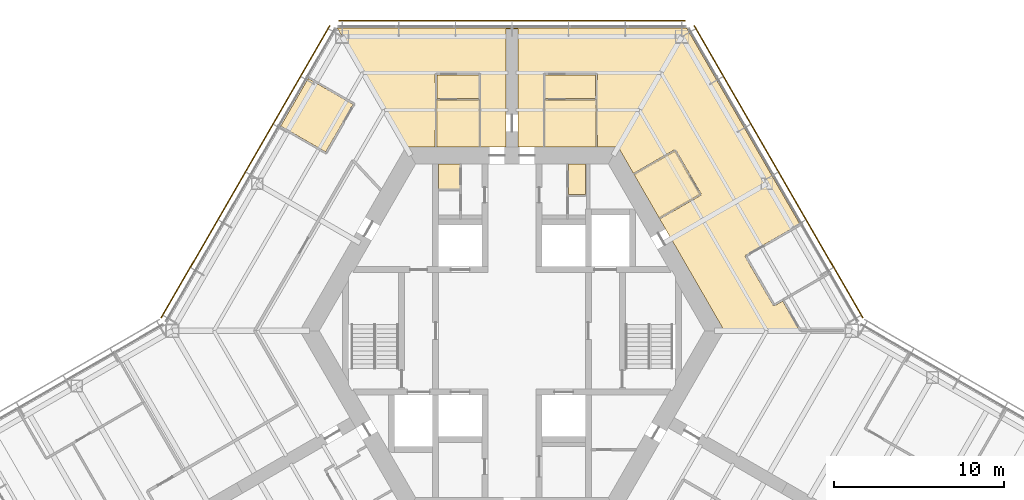
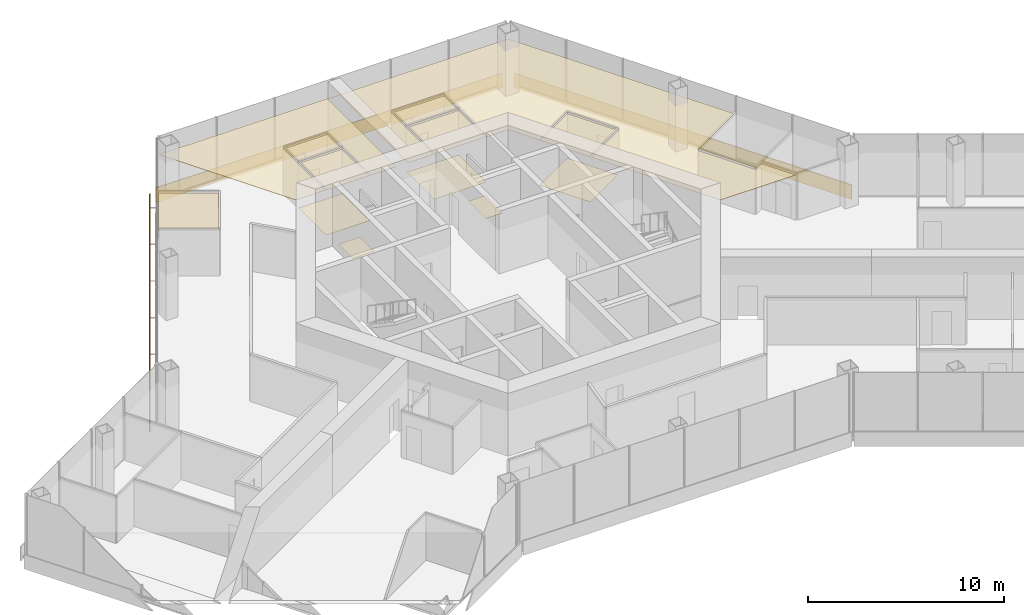
# One storey, part 18 of 18: 13 coverings, 3 shading devices.
"""IFC4 building model written with IfcOpenShell, lengths in metres."""

from ifc_helpers import new_model, si_unit, direction, frame, origin, origin_2d, place, context, subcontext, project, spatial, polyline, rectangle, outline, extrude, material, layer, layer_set, type_object, element, save


model = new_model("IFC4")

# Units and contexts
model_context = context("Model", 3, precision=1e-05, world=origin(), true_north=direction((0.0, 1.0)))
body_context = subcontext(model_context, "Body", "Model", "MODEL_VIEW")
ifc_project = project(units=[si_unit("LENGTHUNIT", "METRE"), si_unit("AREAUNIT", "SQUARE_METRE"), si_unit("VOLUMEUNIT", "CUBIC_METRE"), si_unit("PLANEANGLEUNIT", "RADIAN"), si_unit("MASSUNIT", "GRAM", prefix="KILO")], contexts=[model_context])

# Site, building, storey
site_placement = place(None, origin())
site = spatial("IfcSite", under=ifc_project, at=site_placement, CompositionType="ELEMENT")
building_placement = place(site_placement, origin())
building = spatial("IfcBuilding", under=site, at=building_placement, Name="Kasaneha Research Tower", CompositionType="ELEMENT")
storey_placement = place(building_placement, frame((0.0, 0.0, 195.5)))
storey = spatial("IfcBuildingStorey", under=building, at=storey_placement, Name="L49", CompositionType="ELEMENT", Elevation=195.5)

# Coverings
ifc_material_1 = material(Name="Gypsum ceiling board", Category="gypsum")
ifc_layer_1 = layer(ifc_material_1, 0.02001953125)
ifc_layer_set_1 = layer_set([ifc_layer_1], Name="Suspended ceiling 20")
covering_type_1 = type_object("IfcCoveringType", Name="Suspended ceiling 20", PredefinedType="CEILING", material=ifc_layer_set_1)
covering_1_placement = place(storey_placement, frame((0.0, 0.0, 2.800048828125)))
element("IfcCovering", 1, at=covering_1_placement, inside=storey, type_object=covering_type_1, Name="Ceiling L49-27", PredefinedType="CEILING", context=body_context, shape_type="SweptSolid", body=[
    extrude(outline(polyline([(1.89990234375, 10.824951171875), (1.89990234375, 10.844970703125), (1.949951171875, 10.844970703125), (1.95458984375, 13.570068359375), (4.91650390625, 13.570068359375), (4.9208984375, 10.844970703125), (4.970947265625, 10.844970703125), (4.970947265625, 10.824951171875), (1.89990234375, 10.824951171875)])), origin(), (0.0, 0.0, 1.0), 0.02001953125),
])
covering_2_placement = place(storey_placement, frame((0.0, 0.0, 2.800048828125)))
element("IfcCovering", 2, at=covering_2_placement, inside=storey, type_object=covering_type_1, Name="Ceiling L49-28", PredefinedType="CEILING", context=body_context, shape_type="SweptSolid", body=[
    extrude(outline(polyline([(4.91650390625, 13.669921875), (1.954345703125, 13.669921875), (1.9501953125, 15.074951171875), (4.9208984375, 15.074951171875), (4.91650390625, 13.669921875)])), origin(), (0.0, 0.0, 1.0), 0.02001953125),
])
covering_3_placement = place(storey_placement, frame((0.0, 0.0, 2.800048828125)))
element("IfcCovering", 3, at=covering_3_placement, inside=storey, type_object=covering_type_1, Name="Ceiling L49-29", PredefinedType="CEILING", context=body_context, shape_type="SweptSolid", body=[
    extrude(outline(polyline([(7.1748046875, 9.222900390625), (7.19189453125, 9.23291015625), (7.217041015625, 9.189697265625), (9.581298828125, 10.5546875), (11.03125, 8.043212890625), (8.6669921875, 6.67822265625), (8.69189453125, 6.635009765625), (8.6748046875, 6.625), (7.1748046875, 9.222900390625)])), origin(), (0.0, 0.0, 1.0), 0.02001953125),
])
covering_4_placement = place(storey_placement, frame((0.0, 0.0, 2.800048828125)))
element("IfcCovering", 4, at=covering_4_placement, inside=storey, type_object=covering_type_1, Name="Ceiling L49-32", PredefinedType="CEILING", context=body_context, shape_type="SweptSolid", body=[
    extrude(outline(polyline([(8.692138671875, 6.634521484375), (8.717041015625, 6.591552734375), (11.12451171875, 7.981689453125), (11.099609375, 8.02490234375), (11.10009765625, 8.025146484375), (11.10009765625, 8.025146484375), (11.142822265625, 8.0498046875), (9.642822265625, 10.64794921875), (9.599853515625, 10.623291015625), (9.599853515625, 10.62353515625), (9.599365234375, 10.623291015625), (9.57470703125, 10.666259765625), (7.1669921875, 9.2763671875), (7.191650390625, 9.2333984375), (7.174560546875, 9.223388671875), (6.249755859375, 10.824951171875), (4.971435546875, 10.824951171875), (4.971435546875, 10.844970703125), (5.02099609375, 10.844970703125), (5.016357421875, 13.625), (5.02099609375, 15.124755859375), (4.971435546875, 15.125), (4.971435546875, 15.12548828125), (4.970947265625, 15.12548828125), (4.970947265625, 15.175048828125), (1.89990234375, 15.175048828125), (1.89990234375, 15.125244140625), (1.899658203125, 15.125244140625), (1.899658203125, 15.125), (1.85009765625, 15.124755859375), (1.8544921875, 13.625), (1.85009765625, 10.844970703125), (1.8994140625, 10.844970703125), (1.8994140625, 10.824951171875), (0.35009765625, 10.824951171875), (0.35009765625, 11.72509765625), (0.35009765625, 12.72509765625), (0.35009765625, 17.7705078125), (0.35009765625, 17.7705078125), (0.0, 17.7705078125), (0.0, 17.820556640625), (10.28857421875, 17.820556640625), (16.94677734375, 6.28857421875), (13.742431640625, 4.4384765625), (13.767333984375, 4.3955078125), (13.766845703125, 4.395263671875), (13.76708984375, 4.39501953125), (13.72412109375, 4.3701171875), (15.3896484375, 1.485595703125), (15.432373046875, 1.51025390625), (15.432373046875, 1.51025390625), (15.432861328125, 1.510498046875), (15.4580078125, 1.46728515625), (15.93798828125, 1.744384765625), (16.93994140625, 0.0), (12.49951171875, 0.0), (8.675048828125, 6.62451171875), (8.692138671875, 6.634521484375)])), origin(), (0.0, 0.0, 1.0), 0.02001953125),
])
covering_5_placement = place(storey_placement, frame((0.0, 0.0, 2.800048828125)))
element("IfcCovering", 5, at=covering_5_placement, inside=storey, type_object=covering_type_1, Name="Ceiling L49-33", PredefinedType="CEILING", context=body_context, shape_type="SweptSolid", body=[
    extrude(outline(polyline([(-4.470947265625, 10.824951171875), (-4.470947265625, 10.844970703125), (-4.4208984375, 10.844970703125), (-4.41650390625, 13.570068359375), (-1.95458984375, 13.570068359375), (-1.949951171875, 10.844970703125), (-1.89990234375, 10.844970703125), (-1.89990234375, 10.824951171875), (-4.470947265625, 10.824951171875)])), origin(), (0.0, 0.0, 1.0), 0.02001953125),
])
covering_6_placement = place(storey_placement, frame((0.0, 0.0, 2.800048828125)))
element("IfcCovering", 6, at=covering_6_placement, inside=storey, type_object=covering_type_1, Name="Ceiling L49-34", PredefinedType="CEILING", context=body_context, shape_type="SweptSolid", body=[
    extrude(outline(polyline([(-1.95458984375, 13.669921875), (-4.41650390625, 13.669921875), (-4.4208984375, 15.074951171875), (-1.9501953125, 15.074951171875), (-1.95458984375, 13.669921875)])), origin(), (0.0, 0.0, 1.0), 0.02001953125),
])
covering_7_placement = place(storey_placement, frame((0.0, 0.0, 2.800048828125)))
element("IfcCovering", 7, at=covering_7_placement, inside=storey, type_object=covering_type_1, Name="Ceiling L49-35", PredefinedType="CEILING", context=body_context, shape_type="SweptSolid", body=[
    extrude(outline(polyline([(-0.35009765625, 11.72509765625), (-0.35009765625, 10.824951171875), (-1.8994140625, 10.824951171875), (-1.8994140625, 10.844970703125), (-1.85009765625, 10.844970703125), (-1.854736328125, 13.625), (-1.85009765625, 15.124755859375), (-1.89990234375, 15.125), (-1.89990234375, 15.12548828125), (-1.89990234375, 15.175048828125), (-4.470947265625, 15.175048828125), (-4.470947265625, 15.125244140625), (-4.471435546875, 15.125244140625), (-4.471435546875, 15.125), (-4.52099609375, 15.124755859375), (-4.516357421875, 13.625), (-4.52099609375, 10.844970703125), (-4.471435546875, 10.844970703125), (-4.471435546875, 10.824951171875), (-6.249755859375, 10.824951171875), (-10.28857421875, 17.820556640625), (0.0, 17.820556640625), (0.0, 17.7705078125), (-0.35009765625, 17.7705078125), (-0.35009765625, 17.7705078125), (-0.35009765625, 12.72509765625), (-0.35009765625, 11.72509765625)])), origin(), (0.0, 0.0, 1.0), 0.02001953125),
])
covering_8_placement = place(storey_placement, frame((0.0, 0.0, 2.800048828125)))
element("IfcCovering", 8, at=covering_8_placement, inside=storey, type_object=covering_type_1, Name="Ceiling L49-39", PredefinedType="CEILING", context=body_context, shape_type="SweptSolid", body=[
    extrude(outline(polyline([(-12.000244140625, 14.85595703125), (-9.35888671875, 13.330810546875), (-10.974365234375, 10.53271484375), (-13.598388671875, 12.0478515625), (-13.623291015625, 12.004638671875), (-13.640869140625, 12.0146484375), (-12.000244140625, 14.85595703125)])), origin(), (0.0, 0.0, 1.0), 0.02001953125),
])

# Shading devices
ifc_material_2 = material(Name="Terracotta", Category="masonry")
ifc_layer_2 = layer(ifc_material_2, 0.06005859375)
ifc_layer_set_2 = layer_set([ifc_layer_2], Name="Terracotta baguette screen")
shading_device_type = type_object("IfcShadingDeviceType", Name="Terracotta baguette screen", PredefinedType="USERDEFINED", material=ifc_layer_set_2)
shading_device_1_placement = place(storey_placement, frame((15.696044921875, 9.35498046875, -0.449951171875), z_axis=(0.0, 0.0, 1.0), x_axis=(-0.499999979232, 0.866025415775, 0.0)))
element("IfcShadingDevice", 9, at=shading_device_1_placement, inside=storey, type_object=shading_device_type, Name="Baguette screen L49 06", ObjectType="TERRACOTTA BAGUETTE SCREEN", PredefinedType="USERDEFINED", context=body_context, shape_type="SweptSolid", body=[
    extrude(rectangle(XDim=19.8857421875, YDim=0.06005859375, at=origin_2d()), origin(), (0.0, 0.0, 1.0), 0.89990234375),
])
shading_device_2_placement = place(storey_placement, frame((0.0, 18.2705078125, -0.449951171875), z_axis=(0.0, 0.0, 1.0), x_axis=(-1.0, 0.0, 0.0)))
element("IfcShadingDevice", 10, at=shading_device_2_placement, inside=storey, type_object=shading_device_type, Name="Baguette screen L49 07", ObjectType="TERRACOTTA BAGUETTE SCREEN", PredefinedType="USERDEFINED", context=body_context, shape_type="SweptSolid", body=[
    extrude(rectangle(XDim=20.392822265625, YDim=0.06005859375, at=origin_2d()), origin(), (0.0, 0.0, 1.0), 0.89990234375),
])
shading_device_3_placement = place(storey_placement, frame((-15.696044921875, 9.35498046875, -0.449951171875), z_axis=(0.0, 0.0, 1.0), x_axis=(-0.499999979232, -0.866025415775, 0.0)))
element("IfcShadingDevice", 11, at=shading_device_3_placement, inside=storey, type_object=shading_device_type, Name="Baguette screen L49 08", ObjectType="TERRACOTTA BAGUETTE SCREEN", PredefinedType="USERDEFINED", context=body_context, shape_type="SweptSolid", body=[
    extrude(rectangle(XDim=19.8857421875, YDim=0.06005859375, at=origin_2d()), origin(), (0.0, 0.0, 1.0), 0.89990234375),
])

# Coverings
ifc_material_3 = material(Name="Vinyl sheet flooring", Category="plastic")
ifc_layer_3 = layer(ifc_material_3, 0.0048828125)
ifc_layer_set_3 = layer_set([ifc_layer_3], Name="Wet room sheet flooring 5")
covering_type_2 = type_object("IfcCoveringType", Name="Wet room sheet flooring 5", PredefinedType="FLOORING", material=ifc_layer_set_3)
covering_9_placement = place(storey_placement, origin())
element("IfcCovering", 12, at=covering_9_placement, inside=storey, type_object=covering_type_2, Name="Floor finish L49-07", PredefinedType="FLOORING", context=body_context, shape_type="SweptSolid", body=[
    extrude(outline(polyline([(-4.324951171875, 8.35498046875), (-4.324951171875, 9.824951171875), (-3.074951171875, 9.824951171875), (-3.074951171875, 8.35498046875), (-4.324951171875, 8.35498046875)])), origin(), (0.0, 0.0, 1.0), 0.0048828125),
])
covering_10_placement = place(storey_placement, origin())
element("IfcCovering", 13, at=covering_10_placement, inside=storey, type_object=covering_type_2, Name="Floor finish L49-10", PredefinedType="FLOORING", context=body_context, shape_type="SweptSolid", body=[
    extrude(outline(polyline([(4.324951171875, 8.02490234375), (3.324951171875, 8.02490234375), (3.324951171875, 9.824951171875), (4.324951171875, 9.824951171875), (4.324951171875, 8.02490234375)])), origin(), (0.0, 0.0, 1.0), 0.0048828125),
])
covering_11_placement = place(storey_placement, origin())
element("IfcCovering", 14, at=covering_11_placement, inside=storey, type_object=covering_type_2, Name="Floor finish L49-27", PredefinedType="FLOORING", context=body_context, shape_type="SweptSolid", body=[
    extrude(outline(polyline([(4.970947265625, 13.625), (4.970947265625, 10.824951171875), (1.89990234375, 10.824951171875), (1.89990234375, 13.625), (4.970947265625, 13.625)])), origin(), (0.0, 0.0, 1.0), 0.0048828125),
])
covering_12_placement = place(storey_placement, origin())
element("IfcCovering", 15, at=covering_12_placement, inside=storey, type_object=covering_type_2, Name="Floor finish L49-29", PredefinedType="FLOORING", context=body_context, shape_type="SweptSolid", body=[
    extrude(outline(polyline([(11.099609375, 8.02490234375), (8.6748046875, 6.625), (7.1748046875, 9.222900390625), (9.599609375, 10.623046875), (11.099609375, 8.02490234375)])), origin(), (0.0, 0.0, 1.0), 0.0048828125),
])
covering_13_placement = place(storey_placement, origin())
element("IfcCovering", 16, at=covering_13_placement, inside=storey, type_object=covering_type_2, Name="Floor finish L49-33", PredefinedType="FLOORING", context=body_context, shape_type="SweptSolid", body=[
    extrude(outline(polyline([(-1.89990234375, 13.625), (-1.89990234375, 10.824951171875), (-4.470947265625, 10.824951171875), (-4.470947265625, 13.625), (-1.89990234375, 13.625)])), origin(), (0.0, 0.0, 1.0), 0.0048828125),
])

save(model, "model.ifc")
